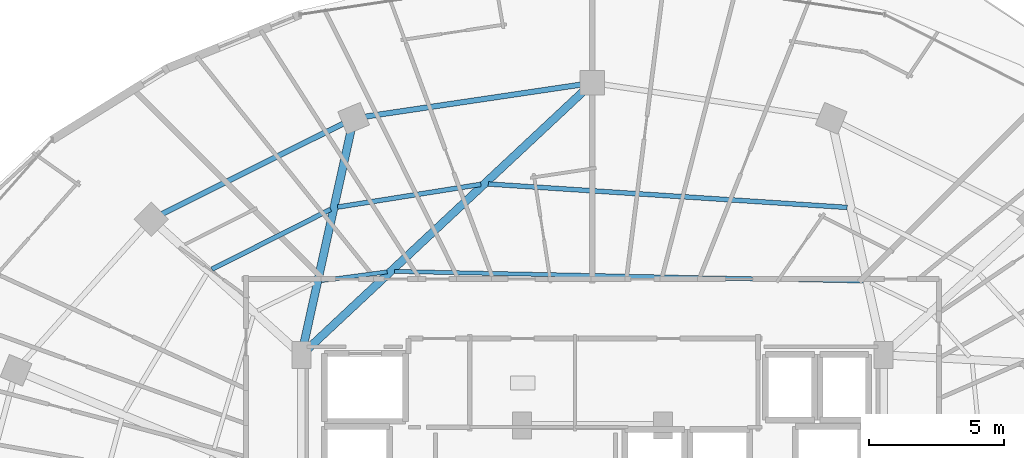
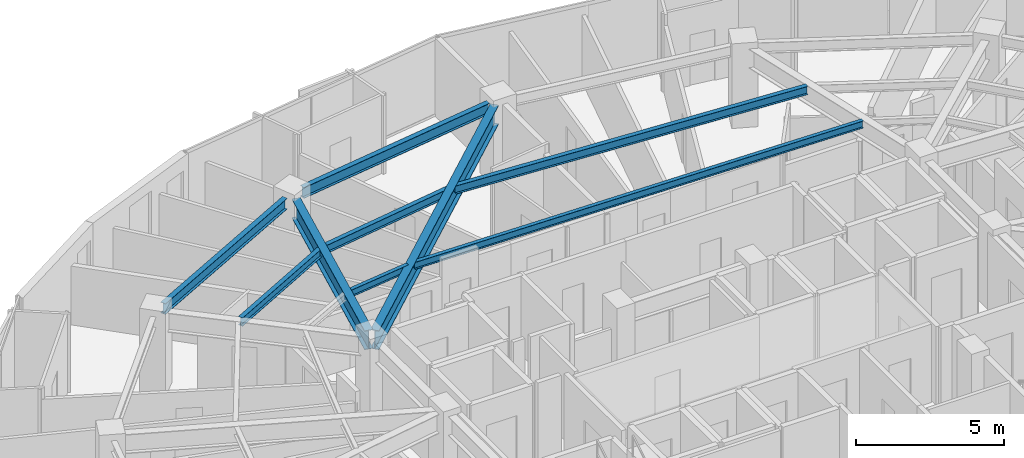
# One storey, part 17 of 33: 9 beams.
"""IFC4 building model written with IfcOpenShell, lengths in metres."""

from ifc_helpers import new_model, si_unit, direction, frame, origin, origin_2d, place, context, subcontext, project, spatial, i_section, extrude, material, material_profile, profile_set, type_object, element, save


model = new_model("IFC4")

# Units and contexts
model_context = context("Model", 3, precision=1e-05, world=origin(), true_north=direction((0.0, 1.0)))
body_context = subcontext(model_context, "Body", "Model", "MODEL_VIEW")
ifc_project = project(units=[si_unit("LENGTHUNIT", "METRE"), si_unit("AREAUNIT", "SQUARE_METRE"), si_unit("VOLUMEUNIT", "CUBIC_METRE"), si_unit("PLANEANGLEUNIT", "RADIAN"), si_unit("MASSUNIT", "GRAM", prefix="KILO")], contexts=[model_context])

# Site, building, storey
site_placement = place(None, origin())
site = spatial("IfcSite", under=ifc_project, at=site_placement, CompositionType="ELEMENT")
building_placement = place(site_placement, origin())
building = spatial("IfcBuilding", under=site, at=building_placement, Name="Vorneva Point Tower", CompositionType="ELEMENT")
storey_placement = place(building_placement, frame((0.0, 0.0, 179.10009765625)))
storey = spatial("IfcBuildingStorey", under=building, at=storey_placement, Name="L48", CompositionType="ELEMENT", Elevation=179.10009765625)

# Beams
ifc_material = material(Name="Steel S355", Category="steel")
ifc_material_profile_1 = material_profile(ifc_material, i_section(OverallWidth=0.300048828125, OverallDepth=0.7880859375, WebThickness=0.014404296875, FlangeThickness=0.02197265625, at=origin_2d()), Name="80Sh1")
ifc_profile_set_1 = profile_set([ifc_material_profile_1], Name="Steel S355")
beam_type_1 = type_object("IfcBeamType", Name="BM-GRD-80Sh1", PredefinedType="USERDEFINED", material=ifc_profile_set_1)
beam_1_placement = place(storey_placement, frame((37.679931640625, 42.90087890625, 2.845947265625), z_axis=(-0.730484767146, -0.682928989696, 0.0), x_axis=(0.682928989696, -0.730484767146, 0.0)))
element("IfcBeam", 1, at=beam_1_placement, inside=storey, type_object=beam_type_1, Name="L48 Radial Primary Girder 05", ObjectType="GIRDER", PredefinedType="USERDEFINED", context=body_context, shape_type="SweptSolid", body=[
    extrude(i_section(OverallWidth=0.300048828125, OverallDepth=0.7880859375, WebThickness=0.014404296875, FlangeThickness=0.02197265625, at=origin_2d()), origin(), (0.0, 0.0, 1.0), 13.938232421875),
])
beam_2_placement = place(storey_placement, frame((29.084716796875, 41.462890625, 2.845947265625), z_axis=(-0.215522758292, -0.976498817541, 0.0), x_axis=(0.976498817541, -0.215522758292, 0.0)))
element("IfcBeam", 2, at=beam_2_placement, inside=storey, type_object=beam_type_1, Name="L48 Radial Primary Girder 06", ObjectType="GIRDER", PredefinedType="USERDEFINED", context=body_context, shape_type="SweptSolid", body=[
    extrude(i_section(OverallWidth=0.300048828125, OverallDepth=0.7880859375, WebThickness=0.014404296875, FlangeThickness=0.02197265625, at=origin_2d()), origin(), (0.0, 0.0, 1.0), 8.173095703125),
])
ifc_material_profile_2 = material_profile(ifc_material, i_section(OverallWidth=0.14892578125, OverallDepth=0.298095703125, WebThickness=0.005615234375, FlangeThickness=0.008056640625, at=origin_2d()), Name="30B1")
ifc_profile_set_2 = profile_set([ifc_material_profile_2], Name="Steel S355")
beam_type_2 = type_object("IfcBeamType", Name="BM-JST-30B1", PredefinedType="JOIST", material=ifc_profile_set_2)
beam_3_placement = place(storey_placement, frame((48.01025390625, 35.879150390625, 3.0908203125), z_axis=(-0.999788862622, 0.020548240227, 0.0), x_axis=(-0.020548240227, -0.999788862622, 0.0)))
element("IfcBeam", 3, at=beam_3_placement, inside=storey, type_object=beam_type_2, Name="L48 Secondary Floor Beam 2.04", PredefinedType="JOIST", context=body_context, shape_type="SweptSolid", body=[
    extrude(i_section(OverallWidth=0.14892578125, OverallDepth=0.298095703125, WebThickness=0.005615234375, FlangeThickness=0.008056640625, at=origin_2d()), origin(), (0.0, 0.0, 1.0), 17.322998046875),
])
beam_4_placement = place(storey_placement, frame((30.416015625, 36.219482421875, 3.0908203125), z_axis=(-0.991158988789, -0.132679534756, 0.0), x_axis=(0.132679534756, -0.991158988789, 0.0)))
element("IfcBeam", 4, at=beam_4_placement, inside=storey, type_object=beam_type_2, Name="L48 Secondary Floor Beam 2.05", PredefinedType="JOIST", context=body_context, shape_type="SweptSolid", body=[
    extrude(i_section(OverallWidth=0.14892578125, OverallDepth=0.298095703125, WebThickness=0.005615234375, FlangeThickness=0.008056640625, at=origin_2d()), origin(), (0.0, 0.0, 1.0), 2.44921875),
])
ifc_material_profile_3 = material_profile(ifc_material, i_section(OverallWidth=0.174072265625, OverallDepth=0.345947265625, WebThickness=0.006103515625, FlangeThickness=0.009033203125, at=origin_2d()), Name="35B1")
ifc_profile_set_3 = profile_set([ifc_material_profile_3], Name="Steel S355")
beam_type_3 = type_object("IfcBeamType", Name="BM-SEC-35B1", PredefinedType="BEAM", material=ifc_profile_set_3)
beam_5_placement = place(storey_placement, frame((47.41162109375, 38.598876953125, 3.06689453125), z_axis=(-0.997872888723, 0.065189707405, 0.0), x_axis=(-0.065189707405, -0.997872888723, 0.0)))
element("IfcBeam", 5, at=beam_5_placement, inside=storey, type_object=beam_type_3, Name="L48 Secondary Floor Beam 1.04", PredefinedType="BEAM", context=body_context, shape_type="SweptSolid", body=[
    extrude(i_section(OverallWidth=0.174072265625, OverallDepth=0.345947265625, WebThickness=0.006103515625, FlangeThickness=0.009033203125, at=origin_2d()), origin(), (0.0, 0.0, 1.0), 13.28759765625),
])
beam_6_placement = place(storey_placement, frame((33.87841796875, 39.452392578125, 3.06689453125), z_axis=(-0.987609534462, -0.156931218819, 0.0), x_axis=(0.156931218819, -0.987609534462, 0.0)))
element("IfcBeam", 6, at=beam_6_placement, inside=storey, type_object=beam_type_3, Name="L48 Secondary Floor Beam 1.05", PredefinedType="BEAM", context=body_context, shape_type="SweptSolid", body=[
    extrude(i_section(OverallWidth=0.174072265625, OverallDepth=0.345947265625, WebThickness=0.006103515625, FlangeThickness=0.009033203125, at=origin_2d()), origin(), (0.0, 0.0, 1.0), 5.35791015625),
])
beam_7_placement = place(storey_placement, frame((28.327392578125, 38.527587890625, 3.06689453125), z_axis=(-0.89285196268, -0.450350277827, 0.0), x_axis=(0.450350277827, -0.89285196268, 0.0)))
element("IfcBeam", 7, at=beam_7_placement, inside=storey, type_object=beam_type_3, Name="L48 Secondary Floor Beam 1.06", PredefinedType="BEAM", context=body_context, shape_type="SweptSolid", body=[
    extrude(i_section(OverallWidth=0.174072265625, OverallDepth=0.345947265625, WebThickness=0.006103515625, FlangeThickness=0.009033203125, at=origin_2d()), origin(), (0.0, 0.0, 1.0), 4.914794921875),
])
ifc_material_profile_4 = material_profile(ifc_material, i_section(OverallWidth=0.198974609375, OverallDepth=0.446044921875, WebThickness=0.008056640625, FlangeThickness=0.011962890625, at=origin_2d()), Name="45B1")
ifc_profile_set_4 = profile_set([ifc_material_profile_4], Name="Steel S355")
beam_type_4 = type_object("IfcBeamType", Name="BM-SPN-45B1", PredefinedType="SPANDREL", material=ifc_profile_set_4)
beam_8_placement = place(storey_placement, frame((37.569580078125, 43.135986328125, 3.016845703125), z_axis=(-0.989165476332, -0.146804837907, 0.0), x_axis=(0.146804837907, -0.989165476332, 0.0)))
element("IfcBeam", 8, at=beam_8_placement, inside=storey, type_object=beam_type_4, Name="L48 Perimeter Spandrel Ring Beam 05", PredefinedType="SPANDREL", context=body_context, shape_type="SweptSolid", body=[
    extrude(i_section(OverallWidth=0.198974609375, OverallDepth=0.446044921875, WebThickness=0.008056640625, FlangeThickness=0.011962890625, at=origin_2d()), origin(), (0.0, 0.0, 1.0), 8.04736328125),
])
beam_9_placement = place(storey_placement, frame((28.789794921875, 41.696533203125, 3.016845703125), z_axis=(-0.894922371084, -0.446221861559, 0.0), x_axis=(0.446221861559, -0.894922371084, 0.0)))
element("IfcBeam", 9, at=beam_9_placement, inside=storey, type_object=beam_type_4, Name="L48 Perimeter Spandrel Ring Beam 06", PredefinedType="SPANDREL", context=body_context, shape_type="SweptSolid", body=[
    extrude(i_section(OverallWidth=0.198974609375, OverallDepth=0.446044921875, WebThickness=0.008056640625, FlangeThickness=0.011962890625, at=origin_2d()), origin(), (0.0, 0.0, 1.0), 7.48583984375),
])

save(model, "model.ifc")
